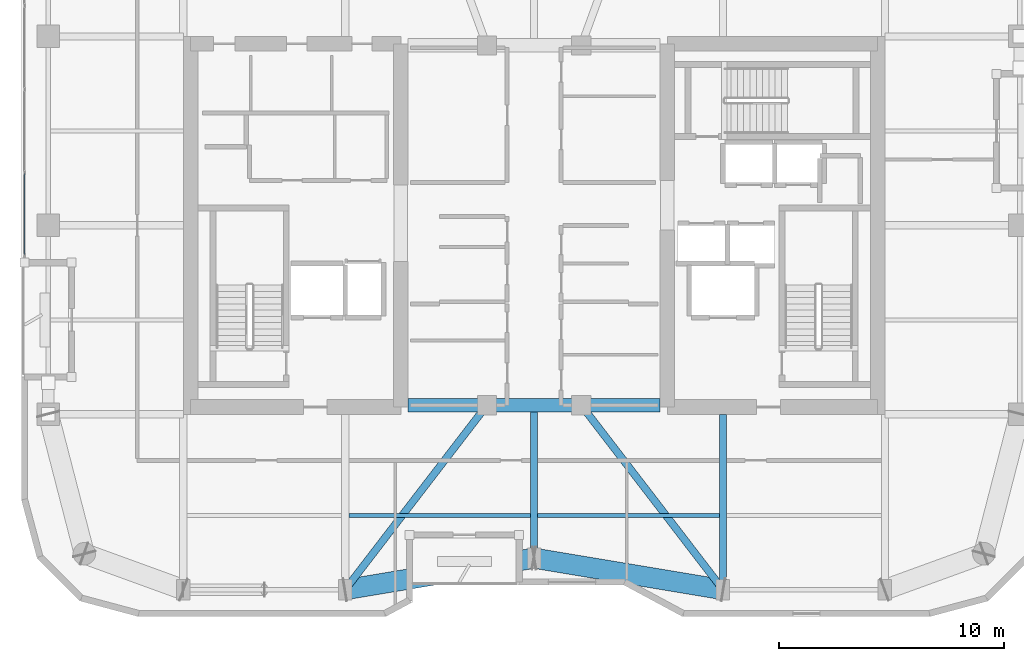
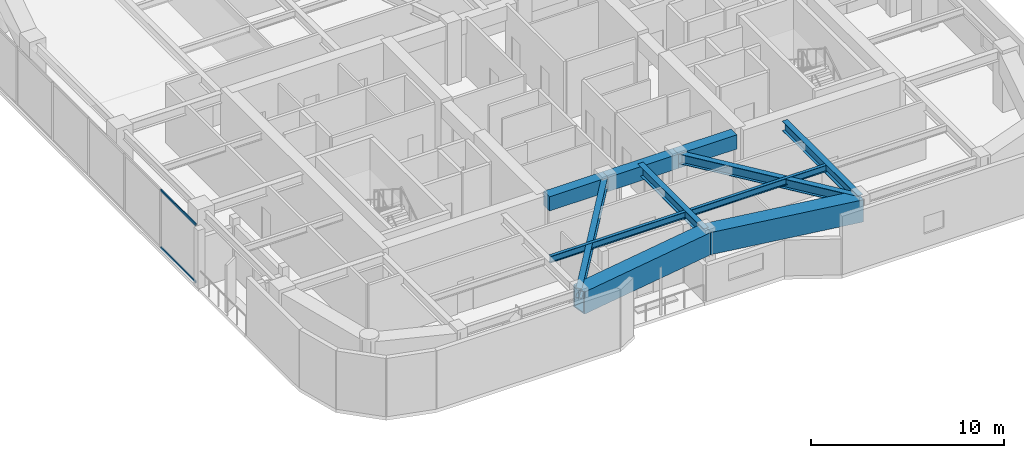
# One storey, part 3 of 21: 11 beams, 2 members, 1 element without a shape of its own.
"""IFC4 building model written with IfcOpenShell, lengths in metres."""

from ifc_helpers import new_model, si_unit, direction, frame, origin, origin_2d, place, context, subcontext, project, spatial, rectangle, hollow_rectangle, i_section, extrude, material, layer, layer_set, material_profile, profile_set, type_object, element, aggregate, save


model = new_model("IFC4")

# Units and contexts
model_context = context("Model", 3, precision=1e-05, world=origin(), true_north=direction((0.0, 1.0)))
body_context = subcontext(model_context, "Body", "Model", "MODEL_VIEW")
ifc_project = project(units=[si_unit("LENGTHUNIT", "METRE"), si_unit("AREAUNIT", "SQUARE_METRE"), si_unit("VOLUMEUNIT", "CUBIC_METRE"), si_unit("PLANEANGLEUNIT", "RADIAN"), si_unit("MASSUNIT", "GRAM", prefix="KILO")], contexts=[model_context])

# Site, building, storey
site_placement = place(None, origin())
site = spatial("IfcSite", under=ifc_project, at=site_placement, CompositionType="ELEMENT")
building_placement = place(site_placement, origin())
building = spatial("IfcBuilding", under=site, at=building_placement, Name="Kiyonajd Concourse Tower", CompositionType="ELEMENT")
storey_placement = place(building_placement, frame((0.0, 0.0, 231.0)))
storey = spatial("IfcBuildingStorey", under=building, at=storey_placement, Name="L58", CompositionType="ELEMENT", Elevation=231.0)

# Beams
ifc_material_1 = material(Name="Concrete C60/75", Category="concrete")
ifc_material_profile_1 = material_profile(ifc_material_1, rectangle(XDim=0.60009765625, YDim=0.89990234375, at=origin_2d()), Name="RCBM-600x900")
ifc_profile_set_1 = profile_set([ifc_material_profile_1], Name="Concrete C60/75")
beam_type_1 = type_object("IfcBeamType", Name="BM-COUP-900", PredefinedType="LINTEL", material=ifc_profile_set_1)
beam_1_placement = place(storey_placement, frame((42.39990234375, 28.0, 3.22998046875), z_axis=(1.0, 0.0, 0.0), x_axis=(0.0, 1.0, 0.0)))
element("IfcBeam", 1, at=beam_1_placement, inside=storey, type_object=beam_type_1, Name="L58 Core Coupling Beam S1", PredefinedType="LINTEL", context=body_context, shape_type="SweptSolid", body=[
    extrude(rectangle(XDim=0.60009765625, YDim=0.89990234375, at=origin_2d()), origin(), (0.0, 0.0, 1.0), 3.5),
])
beam_2_placement = place(storey_placement, frame((45.89990234375, 28.0, 3.22998046875), z_axis=(1.0, 0.0, 0.0), x_axis=(0.0, 1.0, 0.0)))
element("IfcBeam", 2, at=beam_2_placement, inside=storey, type_object=beam_type_1, Name="L58 Core Coupling Beam S2", PredefinedType="LINTEL", context=body_context, shape_type="SweptSolid", body=[
    extrude(rectangle(XDim=0.60009765625, YDim=0.89990234375, at=origin_2d()), origin(), (0.0, 0.0, 1.0), 4.2001953125),
])
beam_3_placement = place(storey_placement, frame((50.10009765625, 28.0, 3.22998046875), z_axis=(1.0, 0.0, 0.0), x_axis=(0.0, 1.0, 0.0)))
element("IfcBeam", 3, at=beam_3_placement, inside=storey, type_object=beam_type_1, Name="L58 Core Coupling Beam S3", PredefinedType="LINTEL", context=body_context, shape_type="SweptSolid", body=[
    extrude(rectangle(XDim=0.60009765625, YDim=0.89990234375, at=origin_2d()), origin(), (0.0, 0.0, 1.0), 3.5),
])
ifc_material_2 = material(Name="Steel ASTM A992 Grade 50", Category="steel")
ifc_material_profile_2 = material_profile(ifc_material_2, i_section(OverallWidth=0.180908203125, OverallDepth=0.4169921875, WebThickness=0.010986328125, FlangeThickness=0.018310546875, at=origin_2d()), Name="W410X85")
ifc_profile_set_2 = profile_set([ifc_material_profile_2], Name="Steel ASTM A992 Grade 50")
beam_type_2 = type_object("IfcBeamType", Name="BM-JST-410", PredefinedType="JOIST", material=ifc_profile_set_2)
for number, where, z_axis, x_axis, name in (
    (4, (39.761962890625, 23.10009765625, 3.471435546875), (1.0, 0.0, 0.0), (0.0, 1.0, 0.0), "L58 Secondary Floor Joist"),
    (5, (48.162109375, 23.10009765625, 3.471435546875), (1.0, 0.0, 0.0), (0.0, 1.0, 0.0), "L58 Secondary Floor Joist"),
):
    element("IfcBeam", number, at=place(storey_placement, frame(where, z_axis=z_axis, x_axis=x_axis)), inside=storey, type_object=beam_type_2, Name=name, PredefinedType="JOIST", context=body_context, shape_type="SweptSolid", body=[
        extrude(i_section(OverallWidth=0.180908203125, OverallDepth=0.4169921875, WebThickness=0.010986328125, FlangeThickness=0.018310546875, at=origin_2d()), origin(), (0.0, 0.0, 1.0), 8.075927734375),
    ])
ifc_material_profile_3 = material_profile(ifc_material_2, i_section(OverallWidth=0.326904296875, OverallDepth=0.6220703125, WebThickness=0.015380859375, FlangeThickness=0.0244140625, at=origin_2d()), Name="W610X195")
ifc_profile_set_3 = profile_set([ifc_material_profile_3], Name="Steel ASTM A992 Grade 50")
beam_type_3 = type_object("IfcBeamType", Name="BM-TWR-610A", PredefinedType="BEAM", material=ifc_profile_set_3)
for number, where, z_axis, x_axis, name in (
    (6, (39.60009765625, 19.800048828125, 3.368896484375), (0.609233709922, 0.792990722956, 0.0), (-0.792990722956, 0.609233709922, 0.0), "L58 Core Tie Girder"),
    (7, (50.10009765625, 28.0, 3.368896484375), (0.609233709922, -0.792990722956, 0.0), (0.792990722956, 0.609233709922, 0.0), "L58 Core Tie Girder"),
):
    element("IfcBeam", number, at=place(storey_placement, frame(where, z_axis=z_axis, x_axis=x_axis)), inside=storey, type_object=beam_type_3, Name=name, PredefinedType="BEAM", context=body_context, shape_type="SweptSolid", body=[
        extrude(i_section(OverallWidth=0.326904296875, OverallDepth=0.6220703125, WebThickness=0.015380859375, FlangeThickness=0.0244140625, at=origin_2d()), origin(), (0.0, 0.0, 1.0), 10.340576171875),
    ])
ifc_material_profile_4 = material_profile(ifc_material_2, i_section(OverallWidth=0.323974609375, OverallDepth=0.611083984375, WebThickness=0.0126953125, FlangeThickness=0.01904296875, at=origin_2d()), Name="W610X155")
ifc_profile_set_4 = profile_set([ifc_material_profile_4], Name="Steel ASTM A992 Grade 50")
beam_type_4 = type_object("IfcBeamType", Name="BM-TWR-610B", PredefinedType="BEAM", material=ifc_profile_set_4)
beam_4_placement = place(storey_placement, frame((56.39990234375, 19.800048828125, 3.37451171875), z_axis=(0.0, 1.0, 0.0), x_axis=(-1.0, 0.0, 0.0)))
element("IfcBeam", 8, at=beam_4_placement, inside=storey, type_object=beam_type_4, Name="L58 South Lease Girder", PredefinedType="BEAM", context=body_context, shape_type="SweptSolid", body=[
    extrude(i_section(OverallWidth=0.323974609375, OverallDepth=0.611083984375, WebThickness=0.0126953125, FlangeThickness=0.01904296875, at=origin_2d()), origin(), (0.0, 0.0, 1.0), 7.800048828125),
])
beam_5_placement = place(storey_placement, frame((48.0, 21.199951171875, 3.37451171875), z_axis=(0.0, 1.0, 0.0), x_axis=(-1.0, 0.0, 0.0)))
element("IfcBeam", 9, at=beam_5_placement, inside=storey, type_object=beam_type_4, Name="L58 South Ribbon Girder", PredefinedType="BEAM", context=body_context, shape_type="SweptSolid", body=[
    extrude(i_section(OverallWidth=0.323974609375, OverallDepth=0.611083984375, WebThickness=0.0126953125, FlangeThickness=0.01904296875, at=origin_2d()), origin(), (0.0, 0.0, 1.0), 6.800048828125),
])
ifc_material_3 = material(Name="Steel ASTM A572 Grade 50", Category="steel")
ifc_material_profile_5 = material_profile(ifc_material_3, hollow_rectangle(XDim=0.89990234375, YDim=1.39990234375, WallThickness=0.070068359375, at=origin_2d()), Name="BOX-1400x900x70")
ifc_profile_set_5 = profile_set([ifc_material_profile_5], Name="Steel ASTM A572 Grade 50")
beam_type_5 = type_object("IfcBeamType", Name="BM-XFER-1400", PredefinedType="BEAM", material=ifc_profile_set_5)
for number, where, z_axis, x_axis, name in (
    (10, (39.60009765625, 19.800048828125, 2.97998046875), (0.986395473479, 0.164389689151, 0.0), (-0.164389689151, 0.986395473479, 0.0), "L58 Perimeter Bundled Tube Spandrel"),
    (11, (48.0, 21.199951171875, 2.97998046875), (0.986395473479, -0.164389689151, 0.0), (0.164389689151, 0.986395473479, 0.0), "L58 Perimeter Bundled Tube Spandrel"),
):
    element("IfcBeam", number, at=place(storey_placement, frame(where, z_axis=z_axis, x_axis=x_axis)), inside=storey, type_object=beam_type_5, Name=name, PredefinedType="BEAM", context=body_context, shape_type="SweptSolid", body=[
        extrude(hollow_rectangle(XDim=0.89990234375, YDim=1.39990234375, WallThickness=0.070068359375, at=origin_2d()), origin(), (0.0, 0.0, 1.0), 8.515869140625),
    ])

# Curtain wall, members
ifc_material_4 = material(Name="Thermally Broken Anodised Aluminium", Category="aluminium")
ifc_layer = layer(ifc_material_4, 0.179931640625)
ifc_layer_set = layer_set([ifc_layer], Name="Thermally Broken Anodised Aluminium")
curtain_wall_type = type_object("IfcCurtainWallType", Name="CW-SYS-04", PredefinedType="NOTDEFINED", material=ifc_layer_set)
curtain_wall_placement = place(storey_placement, origin())
curtain_wall = element("IfcCurtainWall", 12, at=curtain_wall_placement, inside=storey, type_object=curtain_wall_type, Name="L58 Unitised Curtain Wall CW4", PredefinedType="NOTDEFINED")
ifc_material_profile_6 = material_profile(ifc_material_4, hollow_rectangle(XDim=0.06494140625, YDim=0.139892578125, WallThickness=0.00390625, at=origin_2d()), Name="TRAN-65x140")
ifc_profile_set_6 = profile_set([ifc_material_profile_6], Name="Thermally Broken Anodised Aluminium")
member_type = type_object("IfcMemberType", Name="MB-CW-TRAN1", PredefinedType="USERDEFINED", material=ifc_profile_set_6)
member_1_placement = place(storey_placement, frame((25.340087890625, 34.695068359375, 0.032470703125), z_axis=(0.0, 1.0, 0.0), x_axis=(-1.0, 0.0, 0.0)))
member_1 = element("IfcMember", 13, at=member_1_placement, type_object=member_type, Name="CW4 transom 1.1", ObjectType="TRANSOM", PredefinedType="USERDEFINED", context=body_context, shape_type="SweptSolid", body=[
    extrude(hollow_rectangle(XDim=0.06494140625, YDim=0.139892578125, WallThickness=0.00390625, at=origin_2d()), origin(), (0.0, 0.0, 1.0), 3.61279296875),
])
member_2_placement = place(storey_placement, frame((25.340087890625, 34.695068359375, 3.6474609375), z_axis=(0.0, 1.0, 0.0), x_axis=(-1.0, 0.0, 0.0)))
member_2 = element("IfcMember", 14, at=member_2_placement, type_object=member_type, Name="CW4 transom 1.2", ObjectType="TRANSOM", PredefinedType="USERDEFINED", context=body_context, shape_type="SweptSolid", body=[
    extrude(hollow_rectangle(XDim=0.06494140625, YDim=0.139892578125, WallThickness=0.00390625, at=origin_2d()), origin(), (0.0, 0.0, 1.0), 3.61279296875),
])
aggregate(curtain_wall, [member_1, member_2])

save(model, "model.ifc")
